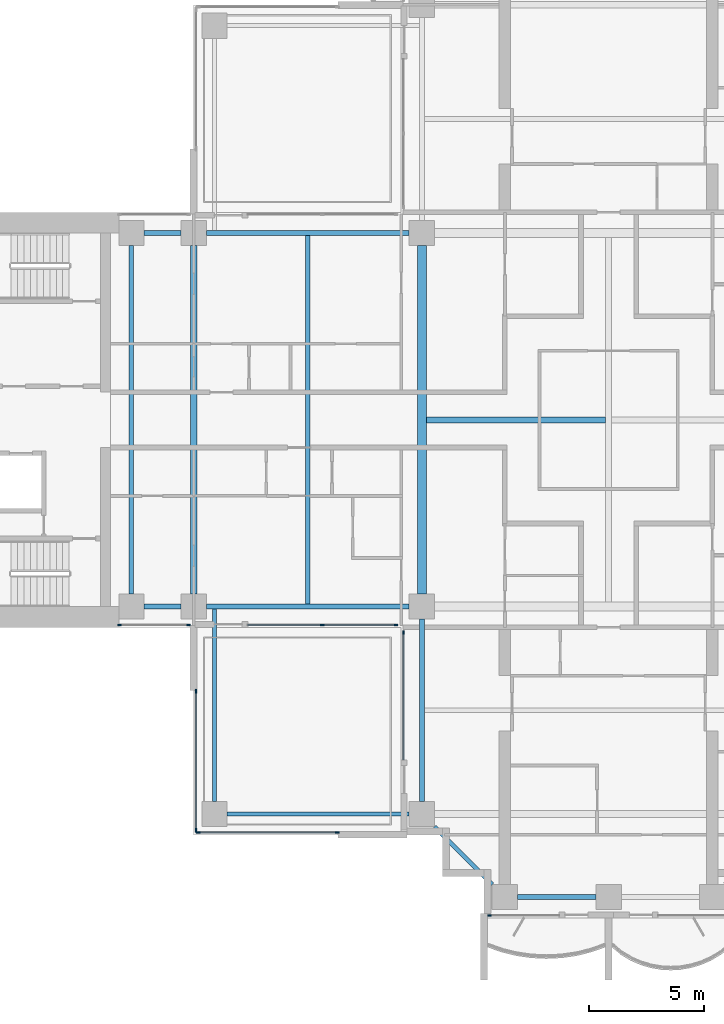
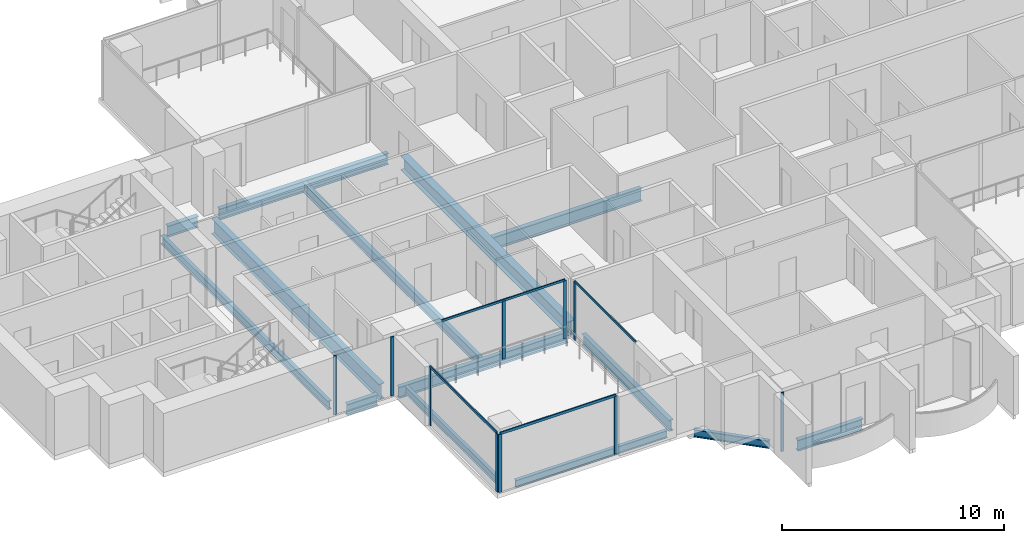
# One storey, part 2 of 19: 14 beams, 14 members, 6 elements without a shape of their own.
"""IFC4 building model written with IfcOpenShell, lengths in metres."""

from ifc_helpers import new_model, si_unit, direction, frame, origin, origin_2d, place, context, subcontext, project, spatial, rectangle, i_section, extrude, material, material_profile, profile_set, type_object, element, aggregate, save


model = new_model("IFC4")

# Units and contexts
model_context = context("Model", 3, precision=1e-05, world=origin(), true_north=direction((0.0, 1.0)))
body_context = subcontext(model_context, "Body", "Model", "MODEL_VIEW")
ifc_project = project(units=[si_unit("LENGTHUNIT", "METRE"), si_unit("AREAUNIT", "SQUARE_METRE"), si_unit("VOLUMEUNIT", "CUBIC_METRE"), si_unit("PLANEANGLEUNIT", "RADIAN"), si_unit("MASSUNIT", "GRAM", prefix="KILO")], contexts=[model_context])

# Site, building, storey
site_placement = place(None, origin())
site = spatial("IfcSite", under=ifc_project, at=site_placement, CompositionType="ELEMENT")
building_placement = place(site_placement, origin())
building = spatial("IfcBuilding", under=site, at=building_placement, Name="Perihelion Cross Residences", CompositionType="ELEMENT")
storey_placement = place(building_placement, frame((0.0, 0.0, 112.89990234375)))
storey = spatial("IfcBuildingStorey", under=building, at=storey_placement, Name="L26", CompositionType="ELEMENT", Elevation=112.89990234375)

# Curtain wall, members
ifc_material_1 = material(Name="Bronze anodised aluminium, tinted glazing", Category="aluminium")
curtain_wall_type_1 = type_object("IfcCurtainWallType", Name="CW1", PredefinedType="NOTDEFINED", material=ifc_material_1)
curtain_wall_1_placement = place(storey_placement, origin())
curtain_wall_1 = element("IfcCurtainWall", 1, at=curtain_wall_1_placement, inside=storey, type_object=curtain_wall_type_1, Name="Curtain wall CW1 L26 west side south bay 1", PredefinedType="NOTDEFINED")
ifc_material_2 = material(Name="Bronze anodised aluminium", Category="aluminium")
ifc_material_profile_1 = material_profile(ifc_material_2, rectangle(XDim=0.06005859375, YDim=0.159912109375, at=origin_2d()), Name="CW1 mullion")
ifc_profile_set_1 = profile_set([ifc_material_profile_1], Name="Bronze anodised aluminium")
member_type_1 = type_object("IfcMemberType", Name="CW1 mullion", PredefinedType="MULLION", material=ifc_profile_set_1)
member_1_placement = place(storey_placement, frame((-21.219970703125, -8.89990234375, 0.0), z_axis=(0.0, 0.0, 1.0), x_axis=(0.0, 1.0, 0.0)))
member_1 = element("IfcMember", 2, at=member_1_placement, type_object=member_type_1, Name="CW1 mullion 1", PredefinedType="MULLION", context=body_context, shape_type="SweptSolid", body=[
    extrude(rectangle(XDim=0.06005859375, YDim=0.159912109375, at=origin_2d()), origin(), (0.0, 0.0, 1.0), 3.25),
])
member_2_placement = place(storey_placement, frame((-18.22998046875, -8.89990234375, 0.0), z_axis=(0.0, 0.0, 1.0), x_axis=(0.0, 1.0, 0.0)))
member_2 = element("IfcMember", 3, at=member_2_placement, type_object=member_type_1, Name="CW1 mullion 2", PredefinedType="MULLION", context=body_context, shape_type="SweptSolid", body=[
    extrude(rectangle(XDim=0.06005859375, YDim=0.159912109375, at=origin_2d()), origin(), (0.0, 0.0, 1.0), 3.25),
])
aggregate(curtain_wall_1, [member_1, member_2])

curtain_wall_2_placement = place(storey_placement, origin())
curtain_wall_2 = element("IfcCurtainWall", 4, at=curtain_wall_2_placement, inside=storey, type_object=curtain_wall_type_1, Name="Curtain wall CW1 L26 west side south bay 2", PredefinedType="NOTDEFINED")
member_3_placement = place(storey_placement, frame((-12.425048828125, -8.89990234375, 0.0), z_axis=(0.0, 0.0, 1.0), x_axis=(0.0, 1.0, 0.0)))
member_3 = element("IfcMember", 5, at=member_3_placement, type_object=member_type_1, Name="CW1 mullion 2", PredefinedType="MULLION", context=body_context, shape_type="SweptSolid", body=[
    extrude(rectangle(XDim=0.06005859375, YDim=0.159912109375, at=origin_2d()), origin(), (0.0, 0.0, 1.0), 3.190185546875),
])
member_4_placement = place(storey_placement, frame((-9.22998046875, -8.89990234375, 0.0), z_axis=(0.0, 0.0, 1.0), x_axis=(0.0, 1.0, 0.0)))
member_4 = element("IfcMember", 6, at=member_4_placement, type_object=member_type_1, Name="CW1 mullion 3", PredefinedType="MULLION", context=body_context, shape_type="SweptSolid", body=[
    extrude(rectangle(XDim=0.06005859375, YDim=0.159912109375, at=origin_2d()), origin(), (0.0, 0.0, 1.0), 3.190185546875),
])

# Curtain wall, member
curtain_wall_3_placement = place(storey_placement, origin())
curtain_wall_3 = element("IfcCurtainWall", 7, at=curtain_wall_3_placement, inside=storey, type_object=curtain_wall_type_1, Name="Curtain wall CW1 L26 south side west bay 1", PredefinedType="NOTDEFINED")
member_5_placement = place(storey_placement, frame((-8.89990234375, -9.22998046875, 0.0), z_axis=(0.0, 0.0, 1.0), x_axis=(1.0, 0.0, 0.0)))
member_5 = element("IfcMember", 8, at=member_5_placement, type_object=member_type_1, Name="CW1 mullion 1", PredefinedType="MULLION", context=body_context, shape_type="SweptSolid", body=[
    extrude(rectangle(XDim=0.06005859375, YDim=0.159912109375, at=origin_2d()), origin(), (0.0, 0.0, 1.0), 3.190185546875),
])

curtain_wall_4_placement = place(storey_placement, origin())
curtain_wall_4 = element("IfcCurtainWall", 9, at=curtain_wall_4_placement, inside=storey, type_object=curtain_wall_type_1, Name="Curtain wall CW1 L26 south tip south bay 1", PredefinedType="NOTDEFINED")
member_6_placement = place(storey_placement, frame((-5.169921875, -21.5, 0.0), z_axis=(0.0, 0.0, 1.0), x_axis=(0.0, 1.0, 0.0)))
member_6 = element("IfcMember", 10, at=member_6_placement, type_object=member_type_1, Name="CW1 mullion 1", PredefinedType="MULLION", context=body_context, shape_type="SweptSolid", body=[
    extrude(rectangle(XDim=0.06005859375, YDim=0.159912109375, at=origin_2d()), origin(), (0.0, 0.0, 1.0), 3.25),
])
aggregate(curtain_wall_4, [member_6])

# Member
ifc_material_3 = material(Name="Bronze anodised aluminium", Category="aluminium")
ifc_material_profile_2 = material_profile(ifc_material_3, rectangle(XDim=0.06005859375, YDim=0.1201171875, at=origin_2d()), Name="CW1 transom")
ifc_profile_set_2 = profile_set([ifc_material_profile_2], Name="Bronze anodised aluminium")
member_type_2 = type_object("IfcMemberType", Name="CW1 transom", PredefinedType="USERDEFINED", material=ifc_profile_set_2)
member_7_placement = place(storey_placement, frame((-15.64990234375, -8.89990234375, 3.22021484375), z_axis=(1.0, 0.0, 0.0), x_axis=(0.0, 1.0, 0.0)))
member_7 = element("IfcMember", 11, at=member_7_placement, type_object=member_type_2, Name="CW1 head transom", ObjectType="TRANSOM", PredefinedType="USERDEFINED", context=body_context, shape_type="SweptSolid", body=[
    extrude(rectangle(XDim=0.06005859375, YDim=0.1201171875, at=origin_2d()), origin(), (0.0, 0.0, 1.0), 6.419921875),
])

aggregate(curtain_wall_2, [member_3, member_4, member_7])

member_8_placement = place(storey_placement, frame((-8.89990234375, -9.22998046875, 3.22021484375), z_axis=(0.0, -1.0, 0.0), x_axis=(1.0, 0.0, 0.0)))
member_8 = element("IfcMember", 12, at=member_8_placement, type_object=member_type_2, Name="CW1 head transom", ObjectType="TRANSOM", PredefinedType="USERDEFINED", context=body_context, shape_type="SweptSolid", body=[
    extrude(rectangle(XDim=0.06005859375, YDim=0.1201171875, at=origin_2d()), origin(), (0.0, 0.0, 1.0), 5.52001953125),
])

aggregate(curtain_wall_3, [member_5, member_8])

# Curtain wall, members
ifc_material_4 = material(Name="Bronze anodised aluminium, tinted glazing", Category="aluminium")
curtain_wall_type_2 = type_object("IfcCurtainWallType", Name="CW4", PredefinedType="NOTDEFINED", material=ifc_material_4)
curtain_wall_5_placement = place(storey_placement, origin())
curtain_wall_5 = element("IfcCurtainWall", 13, at=curtain_wall_5_placement, inside=storey, type_object=curtain_wall_type_2, Name="Curtain wall CW4 L26 pocket south-west 1 1", PredefinedType="NOTDEFINED")
ifc_material_5 = material(Name="Bronze anodised aluminium", Category="aluminium")
ifc_material_profile_3 = material_profile(ifc_material_5, rectangle(XDim=0.06005859375, YDim=0.179931640625, at=origin_2d()), Name="CW4 mullion")
ifc_profile_set_3 = profile_set([ifc_material_profile_3], Name="Bronze anodised aluminium")
member_type_3 = type_object("IfcMemberType", Name="CW4 mullion", PredefinedType="MULLION", material=ifc_profile_set_3)
member_9_placement = place(storey_placement, frame((-11.77001953125, -17.89990234375, 0.0), z_axis=(0.0, 0.0, 1.0), x_axis=(0.0, -1.0, 0.0)))
member_9 = element("IfcMember", 14, at=member_9_placement, type_object=member_type_3, Name="CW4 mullion 1", PredefinedType="MULLION", context=body_context, shape_type="SweptSolid", body=[
    extrude(rectangle(XDim=0.06005859375, YDim=0.179931640625, at=origin_2d()), origin(), (0.0, 0.0, 1.0), 3.190185546875),
])
member_10_placement = place(storey_placement, frame((-17.800048828125, -17.89990234375, 0.0), z_axis=(0.0, 0.0, 1.0), x_axis=(0.0, -1.0, 0.0)))
member_10 = element("IfcMember", 15, at=member_10_placement, type_object=member_type_3, Name="CW4 mullion 2", PredefinedType="MULLION", context=body_context, shape_type="SweptSolid", body=[
    extrude(rectangle(XDim=0.06005859375, YDim=0.179931640625, at=origin_2d()), origin(), (0.0, 0.0, 1.0), 3.190185546875),
])

curtain_wall_6_placement = place(storey_placement, origin())
curtain_wall_6 = element("IfcCurtainWall", 16, at=curtain_wall_6_placement, inside=storey, type_object=curtain_wall_type_2, Name="Curtain wall CW4 L26 pocket south-west 1 2", PredefinedType="NOTDEFINED")
member_11_placement = place(storey_placement, frame((-17.89990234375, -17.800048828125, 0.0), z_axis=(0.0, 0.0, 1.0), x_axis=(-1.0, 0.0, 0.0)))
member_11 = element("IfcMember", 17, at=member_11_placement, type_object=member_type_3, Name="CW4 mullion 1", PredefinedType="MULLION", context=body_context, shape_type="SweptSolid", body=[
    extrude(rectangle(XDim=0.06005859375, YDim=0.179931640625, at=origin_2d()), origin(), (0.0, 0.0, 1.0), 3.190185546875),
])
member_12_placement = place(storey_placement, frame((-17.89990234375, -11.77001953125, 0.0), z_axis=(0.0, 0.0, 1.0), x_axis=(-1.0, 0.0, 0.0)))
member_12 = element("IfcMember", 18, at=member_12_placement, type_object=member_type_3, Name="CW4 mullion 2", PredefinedType="MULLION", context=body_context, shape_type="SweptSolid", body=[
    extrude(rectangle(XDim=0.06005859375, YDim=0.179931640625, at=origin_2d()), origin(), (0.0, 0.0, 1.0), 3.190185546875),
])

# Member
ifc_material_6 = material(Name="Bronze anodised aluminium", Category="aluminium")
ifc_material_profile_4 = material_profile(ifc_material_6, rectangle(XDim=0.06005859375, YDim=0.139892578125, at=origin_2d()), Name="CW4 transom")
ifc_profile_set_4 = profile_set([ifc_material_profile_4], Name="Bronze anodised aluminium")
member_type_4 = type_object("IfcMemberType", Name="CW4 transom", PredefinedType="USERDEFINED", material=ifc_profile_set_4)
member_13_placement = place(storey_placement, frame((-11.77001953125, -17.89990234375, 3.22021484375), z_axis=(-1.0, 0.0, 0.0), x_axis=(0.0, -1.0, 0.0)))
member_13 = element("IfcMember", 19, at=member_13_placement, type_object=member_type_4, Name="CW4 head transom", ObjectType="TRANSOM", PredefinedType="USERDEFINED", context=body_context, shape_type="SweptSolid", body=[
    extrude(rectangle(XDim=0.06005859375, YDim=0.139892578125, at=origin_2d()), origin(), (0.0, 0.0, 1.0), 6.030029296875),
])

aggregate(curtain_wall_5, [member_9, member_10, member_13])

member_14_placement = place(storey_placement, frame((-17.89990234375, -17.800048828125, 3.22021484375), z_axis=(0.0, 1.0, 0.0), x_axis=(-1.0, 0.0, 0.0)))
member_14 = element("IfcMember", 20, at=member_14_placement, type_object=member_type_4, Name="CW4 head transom", ObjectType="TRANSOM", PredefinedType="USERDEFINED", context=body_context, shape_type="SweptSolid", body=[
    extrude(rectangle(XDim=0.06005859375, YDim=0.139892578125, at=origin_2d()), origin(), (0.0, 0.0, 1.0), 6.030029296875),
])

aggregate(curtain_wall_6, [member_11, member_12, member_14])

# Beams
ifc_material_7 = material(Name="Steel S355", Category="steel")
ifc_material_profile_5 = material_profile(ifc_material_7, i_section(OverallWidth=0.177978515625, OverallDepth=0.406005859375, WebThickness=0.0078125, FlangeThickness=0.0126953125, at=origin_2d()), Name="W410x60")
ifc_profile_set_5 = profile_set([ifc_material_profile_5], Name="Steel S355")
beam_type_1 = type_object("IfcBeamType", Name="Core edge beam W410x60", PredefinedType="BEAM", material=ifc_profile_set_5)
beam_1_placement = place(storey_placement, frame((-17.10009765625, -8.214599609375, -0.452880859375), z_axis=(0.0, -1.0, 0.0), x_axis=(1.0, 0.0, 0.0)))
element("IfcBeam", 21, at=beam_1_placement, inside=storey, type_object=beam_type_1, Name="Core edge beam TB2 L26 corner no. 1", PredefinedType="BEAM", context=body_context, shape_type="SweptSolid", body=[
    extrude(i_section(OverallWidth=0.177978515625, OverallDepth=0.406005859375, WebThickness=0.0078125, FlangeThickness=0.0126953125, at=origin_2d()), origin(), (0.0, 0.0, 1.0), 8.33544921875),
])
beam_2_placement = place(storey_placement, frame((-8.64990234375, -17.10009765625, -0.452880859375), z_axis=(-1.0, 0.0, 0.0), x_axis=(0.0, -1.0, 0.0)))
element("IfcBeam", 22, at=beam_2_placement, inside=storey, type_object=beam_type_1, Name="Core edge beam TB2 L26 corner no. 2", PredefinedType="BEAM", context=body_context, shape_type="SweptSolid", body=[
    extrude(i_section(OverallWidth=0.177978515625, OverallDepth=0.406005859375, WebThickness=0.0078125, FlangeThickness=0.0126953125, at=origin_2d()), origin(), (0.0, 0.0, 1.0), 7.900146484375),
])
ifc_material_8 = material(Name="Steel S355", Category="steel")
ifc_material_profile_6 = material_profile(ifc_material_8, i_section(OverallWidth=0.194091796875, OverallDepth=0.469970703125, WebThickness=0.0126953125, FlangeThickness=0.0205078125, at=origin_2d()), Name="W460x106")
ifc_profile_set_6 = profile_set([ifc_material_profile_6], Name="Steel S355")
beam_type_2 = type_object("IfcBeamType", Name="Core edge beam W460x106", PredefinedType="BEAM", material=ifc_profile_set_6)
beam_3_placement = place(storey_placement, frame((-20.699951171875, -7.550048828125, -0.48486328125), z_axis=(0.0, 1.0, 0.0), x_axis=(-1.0, 0.0, 0.0)))
element("IfcBeam", 23, at=beam_3_placement, inside=storey, type_object=beam_type_2, Name="Core edge beam TB5 L26 no. 1", PredefinedType="BEAM", context=body_context, shape_type="SweptSolid", body=[
    extrude(i_section(OverallWidth=0.194091796875, OverallDepth=0.469970703125, WebThickness=0.0126953125, FlangeThickness=0.0205078125, at=origin_2d()), origin(), (0.0, 0.0, 1.0), 15.10009765625),
])
ifc_material_9 = material(Name="Steel S355", Category="steel")
ifc_material_profile_7 = material_profile(ifc_material_9, i_section(OverallWidth=0.22900390625, OverallDepth=0.612060546875, WebThickness=0.011962890625, FlangeThickness=0.01953125, at=origin_2d()), Name="W610x125")
ifc_profile_set_7 = profile_set([ifc_material_profile_7], Name="Steel S355")
beam_type_3 = type_object("IfcBeamType", Name="Edge beam W610x125", PredefinedType="SPANDREL", material=ifc_profile_set_7)
beam_4_placement = place(storey_placement, frame((-8.64990234375, 8.10009765625, -0.555908203125), z_axis=(-1.0, 0.0, 0.0), x_axis=(0.0, -1.0, 0.0)))
element("IfcBeam", 24, at=beam_4_placement, inside=storey, type_object=beam_type_3, Name="Edge beam SB3 L26 no. 8", PredefinedType="SPANDREL", context=body_context, shape_type="SweptSolid", body=[
    extrude(i_section(OverallWidth=0.22900390625, OverallDepth=0.612060546875, WebThickness=0.011962890625, FlangeThickness=0.01953125, at=origin_2d()), origin(), (0.0, 0.0, 1.0), 8.800048828125),
])
for number, where, z_axis, x_axis, name in (
    (25, (-18.550048828125, 8.10009765625, -0.555908203125), (-1.0, 0.0, 0.0), (0.0, -1.0, 0.0), "Edge beam SB3 L26 no. 2"),
    (26, (-20.14990234375, -8.10009765625, -0.555908203125), (1.0, 0.0, 0.0), (0.0, 1.0, 0.0), "Edge beam SB3 L26 no. 3"),
):
    element("IfcBeam", number, at=place(storey_placement, frame(where, z_axis=z_axis, x_axis=x_axis)), inside=storey, type_object=beam_type_3, Name=name, PredefinedType="SPANDREL", context=body_context, shape_type="SweptSolid", body=[
        extrude(i_section(OverallWidth=0.22900390625, OverallDepth=0.612060546875, WebThickness=0.011962890625, FlangeThickness=0.01953125, at=origin_2d()), origin(), (0.0, 0.0, 1.0), 1.599853515625),
    ])
beam_5_placement = place(storey_placement, frame((-17.449951171875, -8.10009765625, -0.555908203125), z_axis=(1.0, 0.0, 0.0), x_axis=(0.0, 1.0, 0.0)))
element("IfcBeam", 27, at=beam_5_placement, inside=storey, type_object=beam_type_3, Name="Edge beam SB3 L26 no. 1", PredefinedType="SPANDREL", context=body_context, shape_type="SweptSolid", body=[
    extrude(i_section(OverallWidth=0.22900390625, OverallDepth=0.612060546875, WebThickness=0.011962890625, FlangeThickness=0.01953125, at=origin_2d()), origin(), (0.0, 0.0, 1.0), 8.800048828125),
])
beam_6_placement = place(storey_placement, frame((-8.10009765625, -8.64990234375, -0.555908203125), z_axis=(0.0, -1.0, 0.0), x_axis=(1.0, 0.0, 0.0)))
element("IfcBeam", 28, at=beam_6_placement, inside=storey, type_object=beam_type_3, Name="Edge beam SB3 L26 no. 5", PredefinedType="SPANDREL", context=body_context, shape_type="SweptSolid", body=[
    extrude(i_section(OverallWidth=0.22900390625, OverallDepth=0.612060546875, WebThickness=0.011962890625, FlangeThickness=0.01953125, at=origin_2d()), origin(), (0.0, 0.0, 1.0), 7.900146484375),
])
beam_7_placement = place(storey_placement, frame((-3.949951171875, -20.699951171875, -0.555908203125), z_axis=(1.0, 0.0, 0.0), x_axis=(0.0, 1.0, 0.0)))
element("IfcBeam", 29, at=beam_7_placement, inside=storey, type_object=beam_type_3, Name="Edge beam SB3 L26 no. 4", PredefinedType="SPANDREL", context=body_context, shape_type="SweptSolid", body=[
    extrude(i_section(OverallWidth=0.22900390625, OverallDepth=0.612060546875, WebThickness=0.011962890625, FlangeThickness=0.01953125, at=origin_2d()), origin(), (0.0, 0.0, 1.0), 3.39990234375),
])
ifc_material_10 = material(Name="Steel S355", Category="steel")
ifc_material_profile_8 = material_profile(ifc_material_10, i_section(OverallWidth=0.2919921875, OverallDepth=0.8359375, WebThickness=0.013916015625, FlangeThickness=0.018798828125, at=origin_2d()), Name="W840x176")
ifc_profile_set_8 = profile_set([ifc_material_profile_8], Name="Steel S355")
beam_type_4 = type_object("IfcBeamType", Name="Floor girder W840x176", PredefinedType="BEAM", material=ifc_profile_set_8)
beam_8_placement = place(storey_placement, frame((-18.0, -7.550048828125, -0.66796875), z_axis=(0.0, 1.0, 0.0), x_axis=(-1.0, 0.0, 0.0)))
element("IfcBeam", 30, at=beam_8_placement, inside=storey, type_object=beam_type_4, Name="Girder G3 L26 no. 1", PredefinedType="BEAM", context=body_context, shape_type="SweptSolid", body=[
    extrude(i_section(OverallWidth=0.2919921875, OverallDepth=0.8359375, WebThickness=0.013916015625, FlangeThickness=0.018798828125, at=origin_2d()), origin(), (0.0, 0.0, 1.0), 15.10009765625),
])
ifc_material_11 = material(Name="Steel S355", Category="steel")
ifc_material_profile_9 = material_profile(ifc_material_11, i_section(OverallWidth=0.208984375, OverallDepth=0.532958984375, WebThickness=0.01025390625, FlangeThickness=0.015625, at=origin_2d()), Name="W530x92")
ifc_profile_set_9 = profile_set([ifc_material_profile_9], Name="Steel S355")
beam_type_5 = type_object("IfcBeamType", Name="Floor joist W530x92", PredefinedType="JOIST", material=ifc_profile_set_9)
beam_9_placement = place(storey_placement, frame((-13.050048828125, -7.985595703125, -0.516357421875), z_axis=(0.0, 1.0, 0.0), x_axis=(-1.0, 0.0, 0.0)))
element("IfcBeam", 31, at=beam_9_placement, inside=storey, type_object=beam_type_5, Name="Joist J4 L26 no. 1", PredefinedType="JOIST", context=body_context, shape_type="SweptSolid", body=[
    extrude(i_section(OverallWidth=0.208984375, OverallDepth=0.532958984375, WebThickness=0.01025390625, FlangeThickness=0.015625, at=origin_2d()), origin(), (0.0, 0.0, 1.0), 15.97119140625),
])
ifc_material_12 = material(Name="Steel S355", Category="steel")
ifc_material_profile_10 = material_profile(ifc_material_12, i_section(OverallWidth=0.257080078125, OverallDepth=0.693115234375, WebThickness=0.014404296875, FlangeThickness=0.023681640625, at=origin_2d()), Name="W690x170")
ifc_profile_set_10 = profile_set([ifc_material_profile_10], Name="Steel S355")
beam_type_6 = type_object("IfcBeamType", Name="Hub cross beam W690x170", PredefinedType="BEAM", material=ifc_profile_set_10)
beam_10_placement = place(storey_placement, frame((-7.909423828125, 0.0, -0.596435546875), z_axis=(1.0, 0.0, 0.0), x_axis=(0.0, 1.0, 0.0)))
element("IfcBeam", 32, at=beam_10_placement, inside=storey, type_object=beam_type_6, Name="Hub cross beam XB3 L26 1 no. 1", PredefinedType="BEAM", context=body_context, shape_type="SweptSolid", body=[
    extrude(i_section(OverallWidth=0.257080078125, OverallDepth=0.693115234375, WebThickness=0.014404296875, FlangeThickness=0.023681640625, at=origin_2d()), origin(), (0.0, 0.0, 1.0), 7.781005859375),
])
ifc_material_13 = material(Name="Steel S355", Category="steel")
ifc_material_profile_11 = material_profile(ifc_material_13, i_section(OverallWidth=0.381103515625, OverallDepth=0.77197265625, WebThickness=0.0166015625, FlangeThickness=0.027099609375, at=origin_2d()), Name="W760x257")
ifc_profile_set_11 = profile_set([ifc_material_profile_11], Name="Steel S355")
beam_type_7 = type_object("IfcBeamType", Name="Hub ring girder W760x257", PredefinedType="BEAM", material=ifc_profile_set_11)
beam_11_placement = place(storey_placement, frame((-8.10009765625, 7.550048828125, -0.635986328125), z_axis=(0.0, -1.0, 0.0), x_axis=(1.0, 0.0, 0.0)))
element("IfcBeam", 33, at=beam_11_placement, inside=storey, type_object=beam_type_7, Name="Hub ring girder RG3 L26 no. 2", PredefinedType="BEAM", context=body_context, shape_type="SweptSolid", body=[
    extrude(i_section(OverallWidth=0.381103515625, OverallDepth=0.77197265625, WebThickness=0.0166015625, FlangeThickness=0.027099609375, at=origin_2d()), origin(), (0.0, 0.0, 1.0), 15.10009765625),
])
ifc_material_14 = material(Name="Steel S355", Category="steel")
ifc_material_profile_12 = material_profile(ifc_material_14, i_section(OverallWidth=0.180908203125, OverallDepth=0.4169921875, WebThickness=0.010986328125, FlangeThickness=0.018310546875, at=origin_2d()), Name="W410x85")
ifc_profile_set_12 = profile_set([ifc_material_profile_12], Name="Steel S355")
beam_type_8 = type_object("IfcBeamType", Name="Serration edge beam W410x85", PredefinedType="BEAM", material=ifc_profile_set_12)
beam_12_placement = place(storey_placement, frame((-7.550048828125, -17.64990234375, -0.45849609375), z_axis=(0.707106781187, -0.707106781187, 0.0), x_axis=(0.707106781187, 0.707106781187, 0.0)))
element("IfcBeam", 34, at=beam_12_placement, inside=storey, type_object=beam_type_8, Name="Serration edge beam EB3 L26 no. 2", PredefinedType="BEAM", context=body_context, shape_type="SweptSolid", body=[
    extrude(i_section(OverallWidth=0.180908203125, OverallDepth=0.4169921875, WebThickness=0.010986328125, FlangeThickness=0.018310546875, at=origin_2d()), origin(), (0.0, 0.0, 1.0), 3.53564453125),
])

save(model, "model.ifc")
